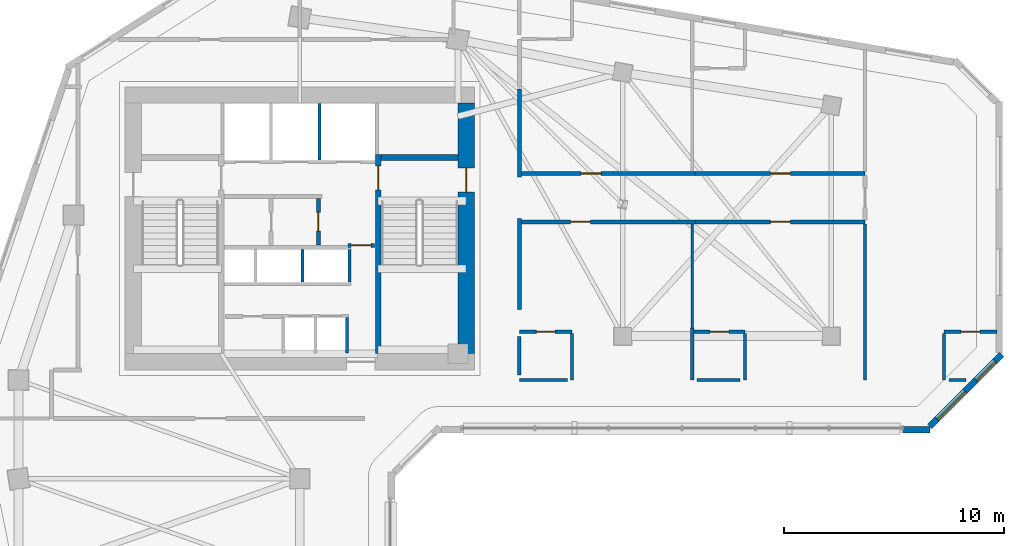
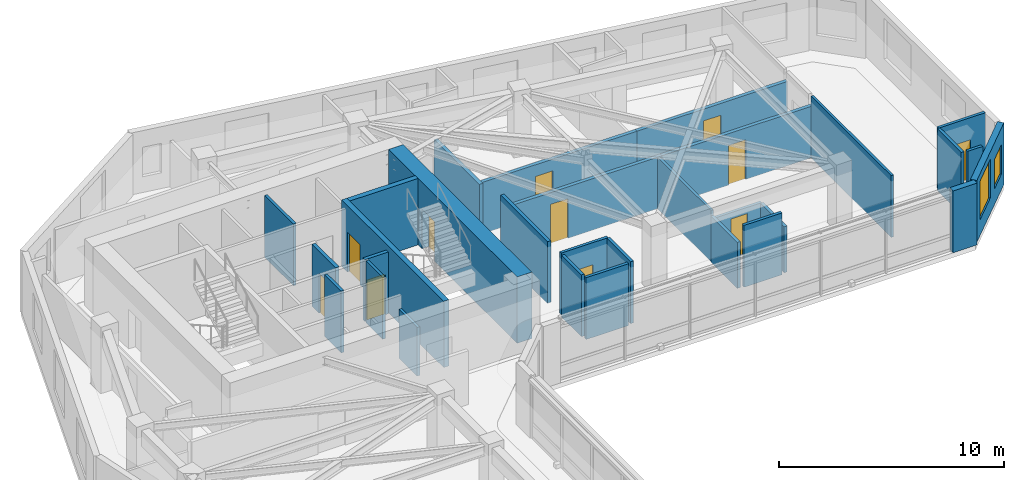
# One storey, part 6 of 11: 30 walls, 11 doors, 2 windows, 13 openings.
"""IFC4 building model written with IfcOpenShell, lengths in metres."""

from ifc_helpers import new_model, si_unit, direction, frame, frame_2d, origin, place, context, subcontext, project, spatial, rectangle, extrude, source, transform, mapped, material, layer, layer_set, type_object, element, fill, save


model = new_model("IFC4")

# Units and contexts
model_context = context("Model", 3, precision=1e-05, world=origin(), true_north=direction((0.0, 1.0)))
body_context = subcontext(model_context, "Body", "Model", "MODEL_VIEW")
ifc_project = project(units=[si_unit("LENGTHUNIT", "METRE"), si_unit("AREAUNIT", "SQUARE_METRE"), si_unit("VOLUMEUNIT", "CUBIC_METRE"), si_unit("PLANEANGLEUNIT", "RADIAN"), si_unit("MASSUNIT", "GRAM", prefix="KILO")], contexts=[model_context])

# Site, building, storey
site_placement = place(None, origin())
site = spatial("IfcSite", under=ifc_project, at=site_placement, CompositionType="ELEMENT")
building_placement = place(site_placement, origin())
building = spatial("IfcBuilding", under=site, at=building_placement, Name="Calvemar Wedge Station Tower", CompositionType="ELEMENT")
storey_placement = place(building_placement, frame((0.0, 0.0, 157.39990234375)))
storey = spatial("IfcBuildingStorey", under=building, at=storey_placement, Name="L39", CompositionType="ELEMENT", Elevation=157.39990234375)

# Wall, opening, door
ifc_material_1 = material(Name="Concrete C50", Category="concrete")
ifc_layer_1 = layer(ifc_material_1, 0.260009765625)
ifc_layer_set_1 = layer_set([ifc_layer_1], Name="Concrete C50")
wall_type_1 = type_object("IfcWallType", Name="SW-CORE-260", PredefinedType="SHEAR", material=ifc_layer_set_1)
wall_1_placement = place(storey_placement, frame((27.3701171875, 34.199951171875, 0.0), z_axis=(0.0, 0.0, 1.0), x_axis=(0.0, 1.0, 0.0)))
wall_1 = element("IfcWall", 1, at=wall_1_placement, inside=storey, type_object=wall_type_1, Name="Storey L39 Core Shear Wall SPINE-E", PredefinedType="SHEAR", context=body_context, shape_type="SweptSolid", body=[
    extrude(rectangle(XDim=9.06005859375, YDim=0.260009765625, at=frame_2d((4.530029296875, 0.0))), origin(), (0.0, 0.0, 1.0), 3.60009765625),
])
shared_shape_1 = source(origin(), body_context, "Body", "SweptSolid", [
    extrude(rectangle(XDim=1.10009765625, YDim=2.14990234375, at=frame_2d((0.550048828125, 1.074951171875))), frame((0.0, 0.14013671875, 0.0), z_axis=(0.0, -1.0, 0.0), x_axis=(1.0, 0.0, 0.0)), (0.0, 0.0, 1.0), 0.280029296875),
])
opening_1_placement = place(wall_1_placement, frame((7.449951171875, 0.0, 0.0)))
opening_1 = element("IfcOpeningElement", 2, at=opening_1_placement, cuts=wall_1, Name="Opening FD-90", PredefinedType="OPENING", context=body_context, shape_type="MappedRepresentation", body=[
    mapped(shared_shape_1, transform((0.0, 0.0, 0.0), scale=1.0)),
])
ifc_material_2 = material(Name="Galvanized fire-rated steel door leaf P-90", Category="steel")
door_type_1 = type_object("IfcDoorType", Name="DR-FD90-1100", OperationType="NOTDEFINED", PredefinedType="DOOR", material=ifc_material_2)
shared_shape_2 = source(origin(), body_context, "Body", "SweptSolid", [
    extrude(rectangle(XDim=1.10009765625, YDim=2.14990234375, at=frame_2d((0.550048828125, 1.074951171875))), frame((0.0, 0.02490234375, 0.0), z_axis=(0.0, -1.0, 0.0), x_axis=(1.0, 0.0, 0.0)), (0.0, 0.0, 1.0), 0.050048828125),
])
door_1_placement = place(opening_1_placement, origin())
door_1 = element("IfcDoor", 3, at=door_1_placement, inside=storey, type_object=door_type_1, Name="L39 FF Lobby to Stair ST-C2 Door", OperationType="SINGLE_SWING_LEFT", OverallHeight=2.14990234375, OverallWidth=1.10009765625, PredefinedType="DOOR", context=body_context, shape_type="MappedRepresentation", body=[
    mapped(shared_shape_2, transform((0.0, 0.0, 0.0), scale=1.0)),
])
fill(opening_1, door_1)

# Wall
wall_2_placement = place(storey_placement, frame((27.5, 43.1298828125, 0.0), z_axis=(0.0, 0.0, 1.0), x_axis=(1.0, 0.0, 0.0)))
element("IfcWall", 4, at=wall_2_placement, inside=storey, type_object=wall_type_1, Name="Storey L39 Core Shear Wall STC2-N", PredefinedType="SHEAR", context=body_context, shape_type="SweptSolid", body=[
    extrude(rectangle(XDim=3.5, YDim=0.260009765625, at=frame_2d((1.75, 0.0))), origin(), (0.0, 0.0, 1.0), 3.60009765625),
])

# Wall, opening, door
ifc_material_3 = material(Name="Concrete C70", Category="concrete")
ifc_layer_2 = layer(ifc_material_3, 0.75)
ifc_layer_set_2 = layer_set([ifc_layer_2], Name="Concrete C70")
wall_type_2 = type_object("IfcWallType", Name="SW-CORE-750", PredefinedType="SHEAR", material=ifc_layer_set_2)
wall_3_placement = place(storey_placement, frame((31.375, 34.199951171875, 0.0), z_axis=(0.0, 0.0, 1.0), x_axis=(0.0, 1.0, 0.0)))
wall_3 = element("IfcWall", 5, at=wall_3_placement, inside=storey, type_object=wall_type_2, Name="Storey L39 Core Shear Wall E", PredefinedType="SHEAR", context=body_context, shape_type="SweptSolid", body=[
    extrude(rectangle(XDim=11.400146484375, YDim=0.75, at=frame_2d((5.7001953125, 0.0))), origin(), (0.0, 0.0, 1.0), 3.60009765625),
])
shared_shape_3 = source(origin(), body_context, "Body", "SweptSolid", [
    extrude(rectangle(XDim=1.10009765625, YDim=2.14990234375, at=frame_2d((0.550048828125, 1.074951171875))), frame((0.0, 0.385009765625, 0.0), z_axis=(0.0, -1.0, 0.0), x_axis=(1.0, 0.0, 0.0)), (0.0, 0.0, 1.0), 0.77001953125),
])
opening_2_placement = place(wall_3_placement, frame((7.35009765625, 0.0, 0.0)))
opening_2 = element("IfcOpeningElement", 6, at=opening_2_placement, cuts=wall_3, Name="Opening FD-90", PredefinedType="OPENING", context=body_context, shape_type="MappedRepresentation", body=[
    mapped(shared_shape_3, transform((0.0, 0.0, 0.0), scale=1.0)),
])
door_2_placement = place(opening_2_placement, origin())
door_2 = element("IfcDoor", 7, at=door_2_placement, inside=storey, type_object=door_type_1, Name="L39 East Corridor to Exit Stair ST-C2 Door", OperationType="SINGLE_SWING_LEFT", OverallHeight=2.14990234375, OverallWidth=1.10009765625, PredefinedType="DOOR", context=body_context, shape_type="MappedRepresentation", body=[
    mapped(shared_shape_2, transform((0.0, 0.0, 0.0), scale=1.0)),
])
fill(opening_2, door_2)

ifc_material_4 = material(Name="Double-stud fire-rated corridor partition")
ifc_layer_3 = layer(ifc_material_4, 0.179931640625)
ifc_layer_set_3 = layer_set([ifc_layer_3], Name="Double-stud fire-rated corridor partition")
wall_type_3 = type_object("IfcWallType", Name="W-CORR-180", PredefinedType="PARTITIONING", material=ifc_layer_set_3)
wall_4_placement = place(storey_placement, frame((24.64990234375, 41.256103515625, 0.0), z_axis=(0.0, 0.0, 1.0), x_axis=(0.0, -1.0, 0.0)))
wall_4 = element("IfcWall", 8, at=wall_4_placement, inside=storey, type_object=wall_type_3, Name="Storey L39 Interior Partition WL-L39-004", PredefinedType="PARTITIONING", context=body_context, shape_type="SweptSolid", body=[
    extrude(rectangle(XDim=2.106201171875, YDim=0.179931640625, at=frame_2d((1.05322265625, 0.0))), origin(), (0.0, 0.0, 1.0), 3.35009765625),
])
shared_shape_4 = source(origin(), body_context, "Body", "SweptSolid", [
    extrude(rectangle(XDim=0.85009765625, YDim=2.14990234375, at=frame_2d((0.425048828125, 1.074951171875))), frame((0.0, 0.10009765625, 0.0), z_axis=(0.0, -1.0, 0.0), x_axis=(1.0, 0.0, 0.0)), (0.0, 0.0, 1.0), 0.199951171875),
])
opening_3_placement = place(wall_4_placement, frame((0.6279296875, 0.0, 0.0)))
opening_3 = element("IfcOpeningElement", 9, at=opening_3_placement, cuts=wall_4, Name="Opening FD-60S", PredefinedType="OPENING", context=body_context, shape_type="MappedRepresentation", body=[
    mapped(shared_shape_4, transform((0.0, 0.0, 0.0), scale=1.0)),
])
ifc_material_5 = material(Name="Fire-rated steel and hardwood service door EI 60", Category="steel")
door_type_2 = type_object("IfcDoorType", Name="DR-CORE-FD60-850", OperationType="NOTDEFINED", PredefinedType="DOOR", material=ifc_material_5)
shared_shape_5 = source(origin(), body_context, "Body", "SweptSolid", [
    extrude(rectangle(XDim=0.85009765625, YDim=2.14990234375, at=frame_2d((0.425048828125, 1.074951171875))), frame((0.0, 0.02490234375, 0.0), z_axis=(0.0, -1.0, 0.0), x_axis=(1.0, 0.0, 0.0)), (0.0, 0.0, 1.0), 0.050048828125),
])
door_3_placement = place(opening_3_placement, origin())
door_3 = element("IfcDoor", 10, at=door_3_placement, inside=storey, type_object=door_type_2, Name="L39 Core Equipment Store Door", OperationType="SINGLE_SWING_LEFT", OverallHeight=2.14990234375, OverallWidth=0.85009765625, PredefinedType="DOOR", context=body_context, shape_type="MappedRepresentation", body=[
    mapped(shared_shape_5, transform((0.0, 0.0, 0.0), scale=1.0)),
])
fill(opening_3, door_3)

wall_5_placement = place(storey_placement, frame((27.199951171875, 39.1298828125, 0.0), z_axis=(0.0, 0.0, 1.0), x_axis=(-1.0, 0.0, 0.0)))
wall_5 = element("IfcWall", 11, at=wall_5_placement, inside=storey, type_object=wall_type_3, Name="Storey L39 Interior Partition WL-L39-005", PredefinedType="PARTITIONING", context=body_context, shape_type="SweptSolid", body=[
    extrude(rectangle(XDim=1.2099609375, YDim=0.179931640625, at=frame_2d((0.60498046875, 0.0))), origin(), (0.0, 0.0, 1.0), 3.35009765625),
])
shared_shape_6 = source(origin(), body_context, "Body", "SweptSolid", [
    extrude(rectangle(XDim=0.89990234375, YDim=2.14990234375, at=frame_2d((0.449951171875, 1.074951171875))), frame((0.0, 0.10009765625, 0.0), z_axis=(0.0, -1.0, 0.0), x_axis=(1.0, 0.0, 0.0)), (0.0, 0.0, 1.0), 0.199951171875),
])
opening_4_placement = place(wall_5_placement, frame((0.155029296875, 0.0, 0.0)))
opening_4 = element("IfcOpeningElement", 12, at=opening_4_placement, cuts=wall_5, Name="Opening FD-60", PredefinedType="OPENING", context=body_context, shape_type="MappedRepresentation", body=[
    mapped(shared_shape_6, transform((0.0, 0.0, 0.0), scale=1.0)),
])
ifc_material_6 = material(Name="Fire-rated acoustic timber-core entrance door EI 60", Category="wood")
door_type_3 = type_object("IfcDoorType", Name="DR-FD60-900", OperationType="NOTDEFINED", PredefinedType="DOOR", material=ifc_material_6)
shared_shape_7 = source(origin(), body_context, "Body", "SweptSolid", [
    extrude(rectangle(XDim=0.89990234375, YDim=2.14990234375, at=frame_2d((0.449951171875, 1.074951171875))), frame((0.0, 0.02490234375, 0.0), z_axis=(0.0, -1.0, 0.0), x_axis=(1.0, 0.0, 0.0)), (0.0, 0.0, 1.0), 0.050048828125),
])
door_4_placement = place(opening_4_placement, origin())
door_4 = element("IfcDoor", 13, at=door_4_placement, inside=storey, type_object=door_type_3, Name="L39 Core Service Lobby Door", OperationType="SINGLE_SWING_RIGHT", OverallHeight=2.14990234375, OverallWidth=0.89990234375, PredefinedType="DOOR", context=body_context, shape_type="MappedRepresentation", body=[
    mapped(shared_shape_7, transform((0.0, 0.0, 0.0), scale=1.0)),
])
fill(opening_4, door_4)

# Walls
wall_6_placement = place(storey_placement, frame((33.800048828125, 46.256103515625, 0.0), z_axis=(0.0, 0.0, 1.0), x_axis=(0.0, -1.0, 0.0)))
element("IfcWall", 14, at=wall_6_placement, inside=storey, type_object=wall_type_3, Name="Storey L39 Interior Partition WL-L39-015", PredefinedType="PARTITIONING", context=body_context, shape_type="SweptSolid", body=[
    extrude(rectangle(XDim=4.01611328125, YDim=0.179931640625, at=frame_2d((2.008056640625, 0.0))), origin(), (0.0, 0.0, 1.0), 2.7880859375),
])
wall_7_placement = place(storey_placement, frame((33.800048828125, 40.360107421875, 0.0), z_axis=(0.0, 0.0, 1.0), x_axis=(0.0, -1.0, 0.0)))
element("IfcWall", 15, at=wall_7_placement, inside=storey, type_object=wall_type_3, Name="Storey L39 Interior Partition WL-L39-016", PredefinedType="PARTITIONING", context=body_context, shape_type="SweptSolid", body=[
    extrude(rectangle(XDim=4.16015625, YDim=0.179931640625, at=frame_2d((2.080078125, 0.0))), origin(), (0.0, 0.0, 1.0), 3.35009765625),
])

# Wall, opening, door
wall_8_placement = place(storey_placement, frame((33.89404296875, 42.39990234375, 0.0), z_axis=(0.0, 0.0, 1.0), x_axis=(1.0, 0.0, 0.0)))
wall_8 = element("IfcWall", 16, at=wall_8_placement, inside=storey, type_object=wall_type_3, Name="Storey L39 Interior Partition WL-L39-019", PredefinedType="PARTITIONING", context=body_context, shape_type="SweptSolid", body=[
    extrude(rectangle(XDim=7.932861328125, YDim=0.179931640625, at=frame_2d((3.96630859375, 0.0))), origin(), (0.0, 0.0, 1.0), 2.7880859375),
])
opening_5_placement = place(wall_8_placement, frame((2.72265625, 0.0, 0.0)))
opening_5 = element("IfcOpeningElement", 17, at=opening_5_placement, cuts=wall_8, Name="Opening FD-60", PredefinedType="OPENING", context=body_context, shape_type="MappedRepresentation", body=[
    mapped(shared_shape_6, transform((0.0, 0.0, 0.0), scale=1.0)),
])
door_5_placement = place(opening_5_placement, origin())
door_5 = element("IfcDoor", 18, at=door_5_placement, inside=storey, type_object=door_type_3, Name="L39 Hotel Guest Room Door", OperationType="SINGLE_SWING_RIGHT", OverallHeight=2.14990234375, OverallWidth=0.89990234375, PredefinedType="DOOR", context=body_context, shape_type="MappedRepresentation", body=[
    mapped(shared_shape_7, transform((0.0, 0.0, 0.0), scale=1.0)),
])
fill(opening_5, door_5)

wall_9_placement = place(storey_placement, frame((41.826904296875, 40.199951171875, 0.0), z_axis=(0.0, 0.0, 1.0), x_axis=(-1.0, 0.0, 0.0)))
wall_9 = element("IfcWall", 19, at=wall_9_placement, inside=storey, type_object=wall_type_3, Name="Storey L39 Interior Partition WL-L39-020", PredefinedType="PARTITIONING", context=body_context, shape_type="SweptSolid", body=[
    extrude(rectangle(XDim=7.932861328125, YDim=0.179931640625, at=frame_2d((3.96630859375, 0.0))), origin(), (0.0, 0.0, 1.0), 2.7880859375),
])
opening_6_placement = place(wall_9_placement, frame((4.798828125, 0.0, 0.0)))
opening_6 = element("IfcOpeningElement", 20, at=opening_6_placement, cuts=wall_9, Name="Opening FD-60", PredefinedType="OPENING", context=body_context, shape_type="MappedRepresentation", body=[
    mapped(shared_shape_6, transform((0.0, 0.0, 0.0), scale=1.0)),
])
door_6_placement = place(opening_6_placement, origin())
door_6 = element("IfcDoor", 21, at=door_6_placement, inside=storey, type_object=door_type_3, Name="L39 Hotel Guest Room Door", OperationType="SINGLE_SWING_RIGHT", OverallHeight=2.14990234375, OverallWidth=0.89990234375, PredefinedType="DOOR", context=body_context, shape_type="MappedRepresentation", body=[
    mapped(shared_shape_7, transform((0.0, 0.0, 0.0), scale=1.0)),
])
fill(opening_6, door_6)

wall_10_placement = place(storey_placement, frame((41.8291015625, 42.39990234375, 0.0), z_axis=(0.0, 0.0, 1.0), x_axis=(1.0, 0.0, 0.0)))
wall_10 = element("IfcWall", 22, at=wall_10_placement, inside=storey, type_object=wall_type_3, Name="Storey L39 Interior Partition WL-L39-021", PredefinedType="PARTITIONING", context=body_context, shape_type="SweptSolid", body=[
    extrude(rectangle(XDim=7.705810546875, YDim=0.179931640625, at=frame_2d((3.85302734375, 0.0))), origin(), (0.0, 0.0, 1.0), 2.7880859375),
])
opening_7_placement = place(wall_10_placement, frame((3.403076171875, 0.0, 0.0)))
opening_7 = element("IfcOpeningElement", 23, at=opening_7_placement, cuts=wall_10, Name="Opening FD-60", PredefinedType="OPENING", context=body_context, shape_type="MappedRepresentation", body=[
    mapped(shared_shape_6, transform((0.0, 0.0, 0.0), scale=1.0)),
])
door_7_placement = place(opening_7_placement, origin())
door_7 = element("IfcDoor", 24, at=door_7_placement, inside=storey, type_object=door_type_3, Name="L39 Hotel Guest Room Door", OperationType="SINGLE_SWING_RIGHT", OverallHeight=2.14990234375, OverallWidth=0.89990234375, PredefinedType="DOOR", context=body_context, shape_type="MappedRepresentation", body=[
    mapped(shared_shape_7, transform((0.0, 0.0, 0.0), scale=1.0)),
])
fill(opening_7, door_7)

wall_11_placement = place(storey_placement, frame((49.534912109375, 40.199951171875, 0.0), z_axis=(0.0, 0.0, 1.0), x_axis=(-1.0, 0.0, 0.0)))
wall_11 = element("IfcWall", 25, at=wall_11_placement, inside=storey, type_object=wall_type_3, Name="Storey L39 Interior Partition WL-L39-022", PredefinedType="PARTITIONING", context=body_context, shape_type="SweptSolid", body=[
    extrude(rectangle(XDim=7.705810546875, YDim=0.179931640625, at=frame_2d((3.85302734375, 0.0))), origin(), (0.0, 0.0, 1.0), 2.7880859375),
])
opening_8_placement = place(wall_11_placement, frame((3.403076171875, 0.0, 0.0)))
opening_8 = element("IfcOpeningElement", 26, at=opening_8_placement, cuts=wall_11, Name="Opening FD-60", PredefinedType="OPENING", context=body_context, shape_type="MappedRepresentation", body=[
    mapped(shared_shape_6, transform((0.0, 0.0, 0.0), scale=1.0)),
])
door_8_placement = place(opening_8_placement, origin())
door_8 = element("IfcDoor", 27, at=door_8_placement, inside=storey, type_object=door_type_3, Name="L39 Hotel Guest Room Door", OperationType="SINGLE_SWING_RIGHT", OverallHeight=2.14990234375, OverallWidth=0.89990234375, PredefinedType="DOOR", context=body_context, shape_type="MappedRepresentation", body=[
    mapped(shared_shape_7, transform((0.0, 0.0, 0.0), scale=1.0)),
])
fill(opening_8, door_8)

# Wall
ifc_material_7 = material(Name="Precast concrete C45", Category="concrete")
ifc_layer_4 = layer(ifc_material_7, 0.300048828125)
ifc_layer_set_4 = layer_set([ifc_layer_4], Name="Precast concrete C45")
wall_type_4 = type_object("IfcWallType", Name="W-EXT-GFRC-300", PredefinedType="SOLIDWALL", material=ifc_layer_set_4)
wall_12_placement = place(storey_placement, frame((51.260498046875, 30.741943359375, 0.0), z_axis=(0.0, 0.0, 1.0), x_axis=(1.0, 0.0, 0.0)))
element("IfcWall", 28, at=wall_12_placement, inside=storey, type_object=wall_type_4, Name="Storey L39 Bronze GFRC Corner Pier 6B", PredefinedType="SOLIDWALL", context=body_context, shape_type="SweptSolid", body=[
    extrude(rectangle(XDim=1.227294921875, YDim=0.300048828125, at=frame_2d((0.61376953125, 0.0))), origin(), (0.0, 0.0, 1.0), 3.35009765625),
])

# Wall, openings, windows
wall_13_placement = place(storey_placement, frame((52.475830078125, 30.8798828125, 0.0), z_axis=(0.0, 0.0, 1.0), x_axis=(0.707106781187, 0.707106781187, 0.0)))
wall_13 = element("IfcWall", 29, at=wall_13_placement, inside=storey, type_object=wall_type_4, Name="Storey L39 Bronze GFRC Exterior Wall 7", PredefinedType="SOLIDWALL", context=body_context, shape_type="SweptSolid", body=[
    extrude(rectangle(XDim=4.638916015625, YDim=0.300048828125, at=frame_2d((2.3193359375, 0.0))), origin(), (0.0, 0.0, 1.0), 3.35009765625),
])
shared_shape_8 = source(origin(), body_context, "Body", "SweptSolid", [
    extrude(rectangle(XDim=1.800048828125, YDim=2.10009765625, at=frame_2d((0.89990234375, 1.050048828125))), frame((0.0, 0.16015625, 0.0), z_axis=(0.0, -1.0, 0.0), x_axis=(1.0, 0.0, 0.0)), (0.0, 0.0, 1.0), 0.320068359375),
])
opening_9_placement = place(wall_13_placement, frame((0.48193359375, 0.0, 0.85009765625)))
opening_9 = element("IfcOpeningElement", 30, at=opening_9_placement, cuts=wall_13, Name="Opening W2", PredefinedType="OPENING", context=body_context, shape_type="MappedRepresentation", body=[
    mapped(shared_shape_8, transform((0.0, 0.0, 0.0), scale=1.0)),
])
shared_shape_9 = source(origin(), body_context, "Body", "SweptSolid", [
    extrude(rectangle(XDim=1.199951171875, YDim=1.60009765625, at=frame_2d((0.60009765625, 0.800048828125))), frame((0.0, 0.16015625, 0.0), z_axis=(0.0, -1.0, 0.0), x_axis=(1.0, 0.0, 0.0)), (0.0, 0.0, 1.0), 0.320068359375),
])
opening_10_placement = place(wall_13_placement, frame((3.0009765625, 0.0, 0.85009765625)))
opening_10 = element("IfcOpeningElement", 31, at=opening_10_placement, cuts=wall_13, Name="Opening W5", PredefinedType="OPENING", context=body_context, shape_type="MappedRepresentation", body=[
    mapped(shared_shape_9, transform((0.0, 0.0, 0.0), scale=1.0)),
])
ifc_material_8 = material(Name="Low-E laminated insulated glass", Category="glass")
window_type_1 = type_object("IfcWindowType", Name="WIN-EXT-2", PartitioningType="SINGLE_PANEL", PredefinedType="WINDOW", material=ifc_material_8)
shared_shape_10 = source(origin(), body_context, "Body", "SweptSolid", [
    extrude(rectangle(XDim=1.800048828125, YDim=2.10009765625, at=frame_2d((0.89990234375, 1.050048828125))), frame((0.0, -0.014892578125, 0.0), z_axis=(0.0, -1.0, 0.0), x_axis=(1.0, 0.0, 0.0)), (0.0, 0.0, 1.0), 0.06005859375),
])
window_1_placement = place(opening_9_placement, origin())
window_1 = element("IfcWindow", 32, at=window_1_placement, inside=storey, type_object=window_type_1, Name="Storey L39 Recessed Window 7.1", OverallHeight=2.10009765625, OverallWidth=1.800048828125, PartitioningType="SINGLE_PANEL", PredefinedType="WINDOW", context=body_context, shape_type="MappedRepresentation", body=[
    mapped(shared_shape_10, transform((0.0, 0.0, 0.0), scale=1.0)),
])
fill(opening_9, window_1)
window_type_2 = type_object("IfcWindowType", Name="WIN-EXT-5", PartitioningType="SINGLE_PANEL", PredefinedType="WINDOW", material=ifc_material_8)
shared_shape_11 = source(origin(), body_context, "Body", "SweptSolid", [
    extrude(rectangle(XDim=1.199951171875, YDim=1.60009765625, at=frame_2d((0.60009765625, 0.800048828125))), frame((0.0, -0.014892578125, 0.0), z_axis=(0.0, -1.0, 0.0), x_axis=(1.0, 0.0, 0.0)), (0.0, 0.0, 1.0), 0.06005859375),
])
window_2_placement = place(opening_10_placement, origin())
window_2 = element("IfcWindow", 33, at=window_2_placement, inside=storey, type_object=window_type_2, Name="Storey L39 Recessed Window 7.2", OverallHeight=1.60009765625, OverallWidth=1.199951171875, PartitioningType="SINGLE_PANEL", PredefinedType="WINDOW", context=body_context, shape_type="MappedRepresentation", body=[
    mapped(shared_shape_11, transform((0.0, 0.0, 0.0), scale=1.0)),
])
fill(opening_10, window_2)

# Walls
ifc_material_9 = material(Name="Reinforced concrete blockwork lift shaft wall", Category="masonry")
ifc_layer_5 = layer(ifc_material_9, 0.139892578125)
ifc_layer_set_5 = layer_set([ifc_layer_5], Name="Reinforced concrete blockwork lift shaft wall")
wall_type_5 = type_object("IfcWallType", Name="W-LIFT-160", PredefinedType="SOLIDWALL", material=ifc_layer_set_5)
wall_14_placement = place(storey_placement, frame((24.699951171875, 43.02001953125, 0.0), z_axis=(0.0, 0.0, 1.0), x_axis=(0.0, 1.0, 0.0)))
element("IfcWall", 34, at=wall_14_placement, inside=storey, type_object=wall_type_5, Name="Storey L39 Firefighting Lift Shaft Enclosure Wall D2", PredefinedType="SOLIDWALL", context=body_context, shape_type="SweptSolid", body=[
    extrude(rectangle(XDim=2.56005859375, YDim=0.139892578125, at=frame_2d((1.280029296875, 0.0))), origin(), (0.0, 0.0, 1.0), 3.35009765625),
])
wall_15_placement = place(storey_placement, frame((25.9599609375, 34.219970703125, 0.0), z_axis=(0.0, 0.0, 1.0), x_axis=(0.0, 1.0, 0.0)))
element("IfcWall", 35, at=wall_15_placement, inside=storey, type_object=wall_type_5, Name="Storey L39 South Passenger Lift Shaft Wall E", PredefinedType="SOLIDWALL", context=body_context, shape_type="SweptSolid", body=[
    extrude(rectangle(XDim=1.6201171875, YDim=0.139892578125, at=frame_2d((0.81005859375, 0.0))), origin(), (0.0, 0.0, 1.0), 2.64208984375),
])
for number, where, z_axis, x_axis, name in (
    (36, (26.06005859375, 37.4599609375, 0.0), (0.0, 0.0, 1.0), (0.0, 1.0, 0.0), "Storey L39 Upper Passenger Lift Shaft Wall E"),
    (37, (23.93505859375, 37.4599609375, 0.0), (0.0, 0.0, 1.0), (0.0, 1.0, 0.0), "Storey L39 Upper Passenger Lift Shaft Wall D2"),
):
    element("IfcWall", number, at=place(storey_placement, frame(where, z_axis=z_axis, x_axis=x_axis)), inside=storey, type_object=wall_type_5, Name=name, PredefinedType="SOLIDWALL", context=body_context, shape_type="SweptSolid", body=[
        extrude(rectangle(XDim=1.47998046875, YDim=0.139892578125, at=frame_2d((0.739990234375, 0.0))), origin(), (0.0, 0.0, 1.0), 3.35009765625),
    ])
ifc_material_10 = material(Name="Insulated acoustic gypsum stud partition")
ifc_layer_6 = layer(ifc_material_10, 0.125)
ifc_layer_set_6 = layer_set([ifc_layer_6], Name="Insulated acoustic gypsum stud partition")
wall_type_6 = type_object("IfcWallType", Name="W-PART-125", PredefinedType="PARTITIONING", material=ifc_layer_set_6)
wall_16_placement = place(storey_placement, frame((41.6669921875, 40.10595703125, 0.0), z_axis=(0.0, 0.0, 1.0), x_axis=(0.0, -1.0, 0.0)))
element("IfcWall", 38, at=wall_16_placement, inside=storey, type_object=wall_type_6, Name="Storey L39 Interior Partition WL-L39-031", PredefinedType="PARTITIONING", context=body_context, shape_type="SweptSolid", body=[
    extrude(rectangle(XDim=4.743896484375, YDim=0.125, at=frame_2d((2.3720703125, 0.0))), origin(), (0.0, 0.0, 1.0), 2.7880859375),
])
wall_17_placement = place(storey_placement, frame((49.534912109375, 40.10595703125, 0.0), z_axis=(0.0, 0.0, 1.0), x_axis=(0.0, -1.0, 0.0)))
element("IfcWall", 39, at=wall_17_placement, inside=storey, type_object=wall_type_6, Name="Storey L39 Interior Partition WL-L39-037", PredefinedType="PARTITIONING", context=body_context, shape_type="SweptSolid", body=[
    extrude(rectangle(XDim=7.10595703125, YDim=0.125, at=frame_2d((3.552978515625, 0.0))), origin(), (0.0, 0.0, 1.0), 3.35009765625),
])

# Wall, opening, door
ifc_material_11 = material(Name="Moisture-resistant acoustic bathroom partition")
ifc_layer_7 = layer(ifc_material_11, 0.14990234375)
ifc_layer_set_7 = layer_set([ifc_layer_7], Name="Moisture-resistant acoustic bathroom partition")
wall_type_7 = type_object("IfcWallType", Name="W-WET-150", PredefinedType="PARTITIONING", material=ifc_layer_set_7)
wall_18_placement = place(storey_placement, frame((33.800048828125, 35.199951171875, 0.0), z_axis=(0.0, 0.0, 1.0), x_axis=(1.0, 0.0, 0.0)))
wall_18 = element("IfcWall", 40, at=wall_18_placement, inside=storey, type_object=wall_type_7, Name="Storey L39 Interior Partition WL-L39-028", PredefinedType="PARTITIONING", context=body_context, shape_type="SweptSolid", body=[
    extrude(rectangle(XDim=2.39990234375, YDim=0.14990234375, at=frame_2d((1.199951171875, 0.0))), origin(), (0.0, 0.0, 1.0), 3.35009765625),
])
shared_shape_12 = source(origin(), body_context, "Body", "SweptSolid", [
    extrude(rectangle(XDim=0.85009765625, YDim=2.14990234375, at=frame_2d((0.425048828125, 1.074951171875))), frame((0.0, 0.0849609375, 0.0), z_axis=(0.0, -1.0, 0.0), x_axis=(1.0, 0.0, 0.0)), (0.0, 0.0, 1.0), 0.169921875),
])
opening_11_placement = place(wall_18_placement, frame((0.77490234375, 0.0, 0.0)))
opening_11 = element("IfcOpeningElement", 41, at=opening_11_placement, cuts=wall_18, Name="Opening D-02", PredefinedType="OPENING", context=body_context, shape_type="MappedRepresentation", body=[
    mapped(shared_shape_12, transform((0.0, 0.0, 0.0), scale=1.0)),
])
ifc_material_12 = material(Name="Moisture-sealed bathroom hardwood swing door", Category="wood")
door_type_4 = type_object("IfcDoorType", Name="DR-WET-850", OperationType="NOTDEFINED", PredefinedType="DOOR", material=ifc_material_12)
shared_shape_13 = source(origin(), body_context, "Body", "SweptSolid", [
    extrude(rectangle(XDim=0.85009765625, YDim=2.14990234375, at=frame_2d((0.425048828125, 1.074951171875))), frame((0.0, 0.02490234375, 0.0), z_axis=(0.0, -1.0, 0.0), x_axis=(1.0, 0.0, 0.0)), (0.0, 0.0, 1.0), 0.050048828125),
])
door_9_placement = place(opening_11_placement, origin())
door_9 = element("IfcDoor", 42, at=door_9_placement, inside=storey, type_object=door_type_4, Name="L39 En-Suite Bathroom Door", OperationType="SINGLE_SWING_LEFT", OverallHeight=2.14990234375, OverallWidth=0.85009765625, PredefinedType="DOOR", context=body_context, shape_type="MappedRepresentation", body=[
    mapped(shared_shape_13, transform((0.0, 0.0, 0.0), scale=1.0)),
])
fill(opening_11, door_9)

# Walls
wall_19_placement = place(storey_placement, frame((36.199951171875, 35.12109375, 0.0), z_axis=(0.0, 0.0, 1.0), x_axis=(0.0, -1.0, 0.0)))
element("IfcWall", 43, at=wall_19_placement, inside=storey, type_object=wall_type_7, Name="Storey L39 Interior Partition WL-L39-029", PredefinedType="PARTITIONING", context=body_context, shape_type="SweptSolid", body=[
    extrude(rectangle(XDim=2.12109375, YDim=0.14990234375, at=frame_2d((1.060546875, 0.0))), origin(), (0.0, 0.0, 1.0), 3.35009765625),
])
wall_20_placement = place(storey_placement, frame((41.6669921875, 35.360107421875, 0.0), z_axis=(0.0, 0.0, 1.0), x_axis=(0.0, -1.0, 0.0)))
element("IfcWall", 44, at=wall_20_placement, inside=storey, type_object=wall_type_7, Name="Storey L39 Interior Partition WL-L39-030", PredefinedType="PARTITIONING", context=body_context, shape_type="SweptSolid", body=[
    extrude(rectangle(XDim=2.360107421875, YDim=0.14990234375, at=frame_2d((1.18017578125, 0.0))), origin(), (0.0, 0.0, 1.0), 2.4921875),
])

# Wall, opening, door
wall_21_placement = place(storey_placement, frame((41.74609375, 35.199951171875, 0.0), z_axis=(0.0, 0.0, 1.0), x_axis=(1.0, 0.0, 0.0)))
wall_21 = element("IfcWall", 45, at=wall_21_placement, inside=storey, type_object=wall_type_7, Name="Storey L39 Interior Partition WL-L39-035", PredefinedType="PARTITIONING", context=body_context, shape_type="SweptSolid", body=[
    extrude(rectangle(XDim=2.32080078125, YDim=0.14990234375, at=frame_2d((1.160400390625, 0.0))), origin(), (0.0, 0.0, 1.0), 2.4921875),
])
opening_12_placement = place(wall_21_placement, frame((0.735595703125, 0.0, 0.0)))
opening_12 = element("IfcOpeningElement", 46, at=opening_12_placement, cuts=wall_21, Name="Opening D-02", PredefinedType="OPENING", context=body_context, shape_type="MappedRepresentation", body=[
    mapped(shared_shape_12, transform((0.0, 0.0, 0.0), scale=1.0)),
])
door_10_placement = place(opening_12_placement, origin())
door_10 = element("IfcDoor", 47, at=door_10_placement, inside=storey, type_object=door_type_4, Name="L39 En-Suite Bathroom Door", OperationType="SINGLE_SWING_LEFT", OverallHeight=2.14990234375, OverallWidth=0.85009765625, PredefinedType="DOOR", context=body_context, shape_type="MappedRepresentation", body=[
    mapped(shared_shape_13, transform((0.0, 0.0, 0.0), scale=1.0)),
])
fill(opening_12, door_10)

# Wall
wall_22_placement = place(storey_placement, frame((44.06689453125, 35.12109375, 0.0), z_axis=(0.0, 0.0, 1.0), x_axis=(0.0, -1.0, 0.0)))
element("IfcWall", 48, at=wall_22_placement, inside=storey, type_object=wall_type_7, Name="Storey L39 Interior Partition WL-L39-036", PredefinedType="PARTITIONING", context=body_context, shape_type="SweptSolid", body=[
    extrude(rectangle(XDim=2.12109375, YDim=0.14990234375, at=frame_2d((1.060546875, 0.0))), origin(), (0.0, 0.0, 1.0), 2.4921875),
])

# Wall, opening, door
wall_23_placement = place(storey_placement, frame((53.135009765625, 35.199951171875, 0.0), z_axis=(0.0, 0.0, 1.0), x_axis=(1.0, 0.0, 0.0)))
wall_23 = element("IfcWall", 49, at=wall_23_placement, inside=storey, type_object=wall_type_7, Name="Storey L39 Interior Partition WL-L39-038", PredefinedType="PARTITIONING", context=body_context, shape_type="SweptSolid", body=[
    extrude(rectangle(XDim=2.39990234375, YDim=0.14990234375, at=frame_2d((1.199951171875, 0.0))), origin(), (0.0, 0.0, 1.0), 3.35009765625),
])
opening_13_placement = place(wall_23_placement, frame((0.77490234375, 0.0, 0.0)))
opening_13 = element("IfcOpeningElement", 50, at=opening_13_placement, cuts=wall_23, Name="Opening D-02", PredefinedType="OPENING", context=body_context, shape_type="MappedRepresentation", body=[
    mapped(shared_shape_12, transform((0.0, 0.0, 0.0), scale=1.0)),
])
door_11_placement = place(opening_13_placement, origin())
door_11 = element("IfcDoor", 51, at=door_11_placement, inside=storey, type_object=door_type_4, Name="L39 En-Suite Bathroom Door", OperationType="SINGLE_SWING_LEFT", OverallHeight=2.14990234375, OverallWidth=0.85009765625, PredefinedType="DOOR", context=body_context, shape_type="MappedRepresentation", body=[
    mapped(shared_shape_13, transform((0.0, 0.0, 0.0), scale=1.0)),
])
fill(opening_13, door_11)

# Walls
wall_24_placement = place(storey_placement, frame((53.135009765625, 33.0, 0.0), z_axis=(0.0, 0.0, 1.0), x_axis=(0.0, 1.0, 0.0)))
element("IfcWall", 52, at=wall_24_placement, inside=storey, type_object=wall_type_7, Name="Storey L39 Interior Partition WL-L39-039", PredefinedType="PARTITIONING", context=body_context, shape_type="SweptSolid", body=[
    extrude(rectangle(XDim=2.12109375, YDim=0.14990234375, at=frame_2d((1.060546875, 0.0))), origin(), (0.0, 0.0, 1.0), 3.35009765625),
])
wall_25_placement = place(storey_placement, frame((35.97998046875, 33.0, 0.0), z_axis=(0.0, 0.0, 1.0), x_axis=(-1.0, 0.0, 0.0)))
element("IfcWall", 53, at=wall_25_placement, inside=storey, type_object=wall_type_7, Name="Storey L39 Bathroom Enclosure Wall WL-L39-045", PredefinedType="PARTITIONING", context=body_context, shape_type="SweptSolid", body=[
    extrude(rectangle(XDim=2.179931640625, YDim=0.14990234375, at=frame_2d((1.08984375, 0.0))), origin(), (0.0, 0.0, 1.0), 3.35009765625),
])
wall_26_placement = place(storey_placement, frame((33.800048828125, 33.219970703125, 0.0), z_axis=(0.0, 0.0, 1.0), x_axis=(0.0, 1.0, 0.0)))
element("IfcWall", 54, at=wall_26_placement, inside=storey, type_object=wall_type_7, Name="Storey L39 Bathroom Enclosure Wall WL-L39-046", PredefinedType="PARTITIONING", context=body_context, shape_type="SweptSolid", body=[
    extrude(rectangle(XDim=1.760009765625, YDim=0.14990234375, at=frame_2d((0.8798828125, 0.0))), origin(), (0.0, 0.0, 1.0), 3.35009765625),
])
wall_27_placement = place(storey_placement, frame((43.846923828125, 33.0, 0.0), z_axis=(0.0, 0.0, 1.0), x_axis=(-1.0, 0.0, 0.0)))
element("IfcWall", 55, at=wall_27_placement, inside=storey, type_object=wall_type_7, Name="Storey L39 Bathroom Enclosure Wall WL-L39-047", PredefinedType="PARTITIONING", context=body_context, shape_type="SweptSolid", body=[
    extrude(rectangle(XDim=1.9599609375, YDim=0.14990234375, at=frame_2d((0.97998046875, 0.0))), origin(), (0.0, 0.0, 1.0), 3.35009765625),
])
wall_28_placement = place(storey_placement, frame((54.1220703125, 33.0, 0.0), z_axis=(0.0, 0.0, 1.0), x_axis=(-1.0, 0.0, 0.0)))
element("IfcWall", 56, at=wall_28_placement, inside=storey, type_object=wall_type_7, Name="Storey L39 Bathroom Enclosure Wall WL-L39-048", PredefinedType="PARTITIONING", context=body_context, shape_type="SweptSolid", body=[
    extrude(rectangle(XDim=0.76708984375, YDim=0.14990234375, at=frame_2d((0.383544921875, 0.0))), origin(), (0.0, 0.0, 1.0), 3.35009765625),
])

save(model, "model.ifc")
